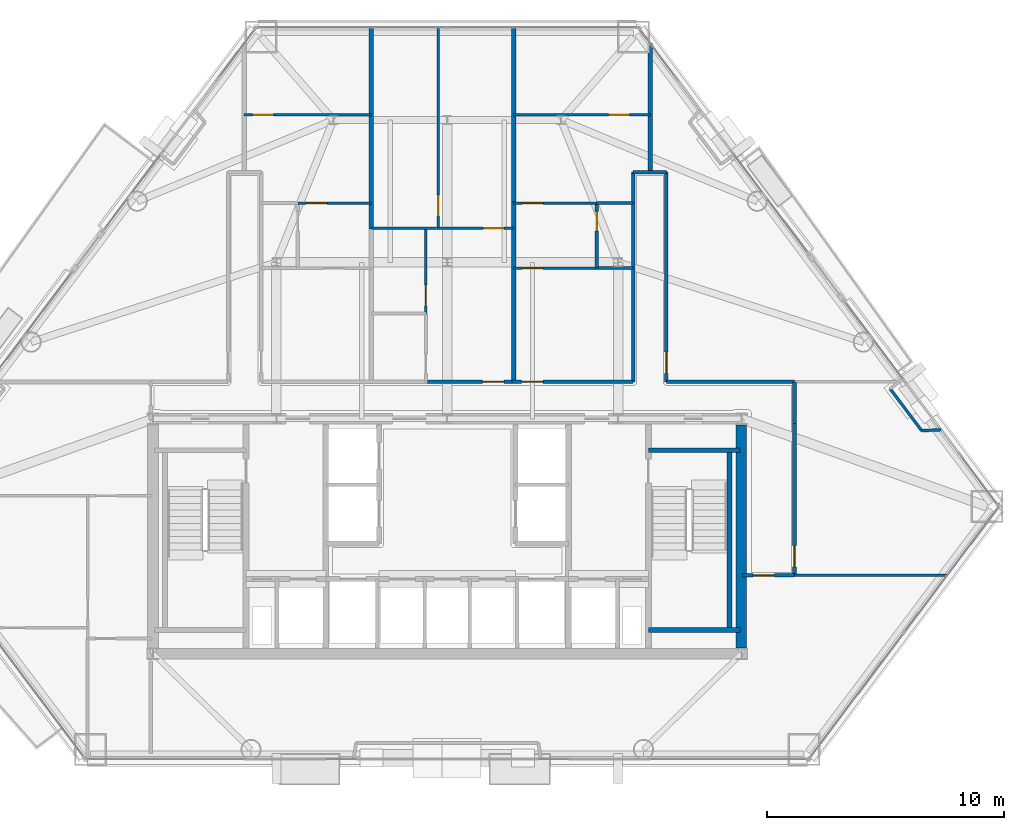
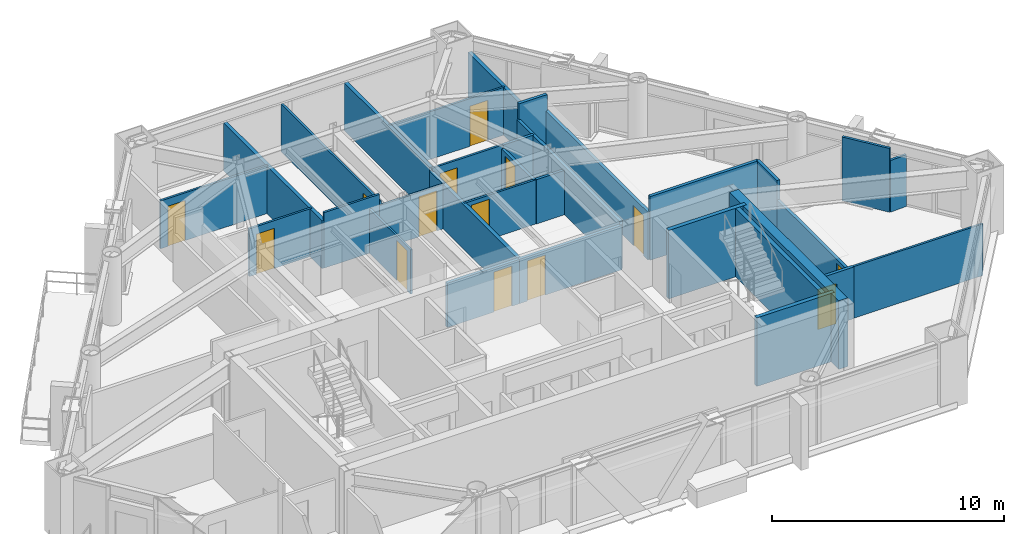
# One storey, part 8 of 11: 32 walls, 14 doors, 14 openings.
"""IFC4 building model written with IfcOpenShell, lengths in metres."""

from ifc_helpers import new_model, si_unit, direction, frame, frame_2d, origin, place, context, subcontext, project, spatial, rectangle, extrude, material, layer, layer_set, type_object, element, fill, save


model = new_model("IFC4")

# Units and contexts
model_context = context("Model", 3, precision=1e-05, world=origin(), true_north=direction((0.0, 1.0)))
body_context = subcontext(model_context, "Body", "Model", "MODEL_VIEW")
ifc_project = project(units=[si_unit("LENGTHUNIT", "METRE"), si_unit("AREAUNIT", "SQUARE_METRE"), si_unit("VOLUMEUNIT", "CUBIC_METRE"), si_unit("PLANEANGLEUNIT", "RADIAN"), si_unit("MASSUNIT", "GRAM", prefix="KILO")], contexts=[model_context])

# Site, building, storey
site_placement = place(None, origin())
site = spatial("IfcSite", under=ifc_project, at=site_placement, CompositionType="ELEMENT")
building_placement = place(site_placement, origin())
building = spatial("IfcBuilding", under=site, at=building_placement, Name="Talgorran Terracotta Tower", CompositionType="ELEMENT")
storey_placement = place(building_placement, frame((0.0, 0.0, 38.699951171875)))
storey = spatial("IfcBuildingStorey", under=building, at=storey_placement, Name="L09", CompositionType="ELEMENT", Elevation=38.699951171875)

# Walls
ifc_material_1 = material(Name="Concrete C50/60", Category="concrete")
ifc_layer_1 = layer(ifc_material_1, 0.199951171875, Name="WT_CORE_200")
ifc_layer_set_1 = layer_set([ifc_layer_1], Name="Concrete C50/60")
wall_type_1 = type_object("IfcWallType", Name="WT_CORE_200", PredefinedType="SOLIDWALL", material=ifc_layer_set_1)
for number, where, z_axis, x_axis, name in (
    (1, (8.47998046875, -5.52001953125, 0.0), (0.0, 0.0, 1.0), (1.0, 0.0, 0.0), "WL-L09-CW-ST2-N"),
    (2, (8.47998046875, -13.10009765625, 0.0), (0.0, 0.0, 1.0), (1.0, 0.0, 0.0), "WL-L09-CW-ST2-S"),
):
    element("IfcWall", number, at=place(storey_placement, frame(where, z_axis=z_axis, x_axis=x_axis)), inside=storey, type_object=wall_type_1, Name=name, PredefinedType="SOLIDWALL", context=body_context, shape_type="SweptSolid", body=[
        extrude(rectangle(XDim=3.8701171875, YDim=0.199951171875, at=frame_2d((1.93505859375, 0.0))), origin(), (0.0, 0.0, 1.0), 3.60009765625),
    ])
wall_1_placement = place(storey_placement, frame((11.89990234375, -13.10009765625, 0.0), z_axis=(0.0, 0.0, 1.0), x_axis=(0.0, 1.0, 0.0)))
element("IfcWall", 3, at=wall_1_placement, inside=storey, type_object=wall_type_1, Name="WL-L09-CW-ST2-E", PredefinedType="SOLIDWALL", context=body_context, shape_type="SweptSolid", body=[
    extrude(rectangle(XDim=7.580078125, YDim=0.199951171875, at=frame_2d((3.7900390625, 0.0))), origin(), (0.0, 0.0, 1.0), 3.60009765625),
])
ifc_material_2 = material(Name="Concrete C65/80", Category="concrete")
ifc_layer_2 = layer(ifc_material_2, 0.449951171875, Name="WT_CORE_EXT")
ifc_layer_set_2 = layer_set([ifc_layer_2], Name="Concrete C65/80")
wall_type_2 = type_object("IfcWallType", Name="WT_CORE_EXT", PredefinedType="SHEAR", material=ifc_layer_set_2)
wall_2_placement = place(storey_placement, frame((12.39990234375, -13.85009765625, 0.0), z_axis=(0.0, 0.0, 1.0), x_axis=(0.0, 1.0, 0.0)))
element("IfcWall", 4, at=wall_2_placement, inside=storey, type_object=wall_type_2, Name="WL-L09-CW-OUT-E", PredefinedType="SHEAR", context=body_context, shape_type="SweptSolid", body=[
    extrude(rectangle(XDim=9.400146484375, YDim=0.449951171875, at=frame_2d((4.7001953125, 0.0))), origin(), (0.0, 0.0, 1.0), 3.60009765625),
])

# Wall, opening, door
ifc_material_3 = material(Name="Fire-Rated Steel Stud Plasterboard", Category="steel")
ifc_layer_3 = layer(ifc_material_3, 0.14990234375, Name="WT_FIRE_150")
ifc_layer_set_3 = layer_set([ifc_layer_3], Name="Fire-Rated Steel Stud Plasterboard")
wall_type_3 = type_object("IfcWallType", Name="WT_FIRE_150", PredefinedType="PARTITIONING", material=ifc_layer_set_3)
wall_3_placement = place(storey_placement, frame((9.239990234375, -2.639892578125, 0.0), z_axis=(0.0, 0.0, 1.0), x_axis=(0.0, 1.0, 0.0)))
wall_3 = element("IfcWall", 5, at=wall_3_placement, inside=storey, type_object=wall_type_3, Name="WL-L09-W-L09-R21", PredefinedType="PARTITIONING", context=body_context, shape_type="SweptSolid", body=[
    extrude(rectangle(XDim=8.83984375, YDim=0.14990234375, at=frame_2d((4.419921875, 0.0))), origin(), (0.0, 0.0, 1.0), 2.509033203125),
])
opening_1_placement = place(wall_3_placement, frame((0.359375, 0.0, 0.0)))
opening_1 = element("IfcOpeningElement", 6, at=opening_1_placement, cuts=wall_3, Name="Opening DR-L09-R22", PredefinedType="OPENING", context=body_context, shape_type="SweptSolid", body=[
    extrude(rectangle(XDim=0.90590234375, YDim=2.10409765625, at=frame_2d((0.449951171875, 1.052001953125))), frame((0.0, 0.0849609375, 0.0), z_axis=(0.0, -1.0, 0.0), x_axis=(1.0, 0.0, 0.0)), (0.0, 0.0, 1.0), 0.169921875),
])
ifc_material_4 = material(Name="Fire-Rated Timber Core", Category="wood")
door_type_1 = type_object("IfcDoorType", Name="DT_FIRE_900", OperationType="NOTDEFINED", PredefinedType="DOOR", material=ifc_material_4)
door_1_placement = place(opening_1_placement, origin())
door_1 = element("IfcDoor", 7, at=door_1_placement, inside=storey, type_object=door_type_1, Name="DR-L09-R22", OperationType="SINGLE_SWING_RIGHT", OverallHeight=2.10009765625, OverallWidth=0.89990234375, PredefinedType="DOOR", context=body_context, shape_type="SweptSolid", body=[
    extrude(rectangle(XDim=0.89990234375, YDim=2.10009765625, at=frame_2d((0.449951171875, 1.050048828125))), frame((0.0, 0.02490234375, 0.0), z_axis=(0.0, -1.0, 0.0), x_axis=(1.0, 0.0, 0.0)), (0.0, 0.0, 1.0), 0.050048828125),
])
fill(opening_1, door_1)

wall_4_placement = place(storey_placement, frame((14.639892578125, -10.800048828125, 0.0), z_axis=(0.0, 0.0, 1.0), x_axis=(0.0, 1.0, 0.0)))
wall_4 = element("IfcWall", 8, at=wall_4_placement, inside=storey, type_object=wall_type_3, Name="WL-L09-W-L09-R02", PredefinedType="PARTITIONING", context=body_context, shape_type="SweptSolid", body=[
    extrude(rectangle(XDim=6.400146484375, YDim=0.14990234375, at=frame_2d((3.2001953125, 0.0))), origin(), (0.0, 0.0, 1.0), 2.324951171875),
])
opening_2_placement = place(wall_4_placement, frame((0.359130859375, 0.0, 0.0)))
opening_2 = element("IfcOpeningElement", 9, at=opening_2_placement, cuts=wall_4, Name="Opening DR-L09-R04", PredefinedType="OPENING", context=body_context, shape_type="SweptSolid", body=[
    extrude(rectangle(XDim=0.90590234375, YDim=2.10409765625, at=frame_2d((0.449951171875, 1.052001953125))), frame((0.0, 0.0849609375, 0.0), z_axis=(0.0, -1.0, 0.0), x_axis=(1.0, 0.0, 0.0)), (0.0, 0.0, 1.0), 0.169921875),
])
door_2_placement = place(opening_2_placement, origin())
door_2 = element("IfcDoor", 10, at=door_2_placement, inside=storey, type_object=door_type_1, Name="DR-L09-R04", OperationType="SINGLE_SWING_RIGHT", OverallHeight=2.10009765625, OverallWidth=0.89990234375, PredefinedType="DOOR", context=body_context, shape_type="SweptSolid", body=[
    extrude(rectangle(XDim=0.89990234375, YDim=2.10009765625, at=frame_2d((0.449951171875, 1.050048828125))), frame((0.0, 0.02490234375, 0.0), z_axis=(0.0, -1.0, 0.0), x_axis=(1.0, 0.0, 0.0)), (0.0, 0.0, 1.0), 0.050048828125),
])
fill(opening_2, door_2)

# Wall
wall_5_placement = place(storey_placement, frame((9.239990234375, -2.639892578125, 0.0), z_axis=(0.0, 0.0, 1.0), x_axis=(1.0, 0.0, 0.0)))
element("IfcWall", 11, at=wall_5_placement, inside=storey, type_object=wall_type_3, Name="WL-L09-W-L09-R22", PredefinedType="PARTITIONING", context=body_context, shape_type="SweptSolid", body=[
    extrude(rectangle(XDim=5.39990234375, YDim=0.14990234375, at=frame_2d((2.699951171875, 0.0))), origin(), (0.0, 0.0, 1.0), 3.35009765625),
])

# Wall, opening, door
wall_6_placement = place(storey_placement, frame((2.739990234375, -2.639892578125, 0.0), z_axis=(0.0, 0.0, 1.0), x_axis=(1.0, 0.0, 0.0)))
wall_6 = element("IfcWall", 12, at=wall_6_placement, inside=storey, type_object=wall_type_3, Name="WL-L09-W-L09-R15", PredefinedType="PARTITIONING", context=body_context, shape_type="SweptSolid", body=[
    extrude(rectangle(XDim=5.10009765625, YDim=0.14990234375, at=frame_2d((2.550048828125, 0.0))), origin(), (0.0, 0.0, 1.0), 2.324951171875),
])
opening_3_placement = place(wall_6_placement, frame((0.39990234375, 0.0, 0.0)))
opening_3 = element("IfcOpeningElement", 13, at=opening_3_placement, cuts=wall_6, Name="Opening DR-L09-R17", PredefinedType="OPENING", context=body_context, shape_type="SweptSolid", body=[
    extrude(rectangle(XDim=0.90590234375, YDim=2.10409765625, at=frame_2d((0.449951171875, 1.052001953125))), frame((0.0, 0.0849609375, 0.0), z_axis=(0.0, -1.0, 0.0), x_axis=(1.0, 0.0, 0.0)), (0.0, 0.0, 1.0), 0.169921875),
])
door_3_placement = place(opening_3_placement, origin())
door_3 = element("IfcDoor", 14, at=door_3_placement, inside=storey, type_object=door_type_1, Name="DR-L09-R17", OperationType="SINGLE_SWING_LEFT", OverallHeight=2.10009765625, OverallWidth=0.89990234375, PredefinedType="DOOR", context=body_context, shape_type="SweptSolid", body=[
    extrude(rectangle(XDim=0.89990234375, YDim=2.10009765625, at=frame_2d((0.449951171875, 1.050048828125))), frame((0.0, 0.02490234375, 0.0), z_axis=(0.0, -1.0, 0.0), x_axis=(1.0, 0.0, 0.0)), (0.0, 0.0, 1.0), 0.050048828125),
])
fill(opening_3, door_3)

# Wall
wall_7_placement = place(storey_placement, frame((7.840087890625, -2.639892578125, 0.0), z_axis=(0.0, 0.0, 1.0), x_axis=(0.0, 1.0, 0.0)))
element("IfcWall", 15, at=wall_7_placement, inside=storey, type_object=wall_type_3, Name="WL-L09-W-L09-R16", PredefinedType="PARTITIONING", context=body_context, shape_type="SweptSolid", body=[
    extrude(rectangle(XDim=8.83984375, YDim=0.14990234375, at=frame_2d((4.419921875, 0.0))), origin(), (0.0, 0.0, 1.0), 2.509033203125),
])

# Wall, opening, door
wall_8_placement = place(storey_placement, frame((-0.837890625, -2.639892578125, 0.0), z_axis=(0.0, 0.0, 1.0), x_axis=(1.0, 0.0, 0.0)))
wall_8 = element("IfcWall", 16, at=wall_8_placement, inside=storey, type_object=wall_type_3, Name="WL-L09-W-L09-R14", PredefinedType="PARTITIONING", context=body_context, shape_type="SweptSolid", body=[
    extrude(rectangle(XDim=3.575927734375, YDim=0.14990234375, at=frame_2d((1.7880859375, 0.0))), origin(), (0.0, 0.0, 1.0), 2.324951171875),
])
opening_4_placement = place(wall_8_placement, frame((2.318115234375, 0.0, 0.0)))
opening_4 = element("IfcOpeningElement", 17, at=opening_4_placement, cuts=wall_8, Name="Opening DR-L09-R14", PredefinedType="OPENING", context=body_context, shape_type="SweptSolid", body=[
    extrude(rectangle(XDim=0.90590234375, YDim=2.10409765625, at=frame_2d((0.449951171875, 1.052001953125))), frame((0.0, 0.0849609375, 0.0), z_axis=(0.0, -1.0, 0.0), x_axis=(1.0, 0.0, 0.0)), (0.0, 0.0, 1.0), 0.169921875),
])
door_4_placement = place(opening_4_placement, origin())
door_4 = element("IfcDoor", 18, at=door_4_placement, inside=storey, type_object=door_type_1, Name="DR-L09-R14", OperationType="SINGLE_SWING_RIGHT", OverallHeight=2.10009765625, OverallWidth=0.89990234375, PredefinedType="DOOR", context=body_context, shape_type="SweptSolid", body=[
    extrude(rectangle(XDim=0.89990234375, YDim=2.10009765625, at=frame_2d((0.449951171875, 1.050048828125))), frame((0.0, 0.02490234375, 0.0), z_axis=(0.0, -1.0, 0.0), x_axis=(1.0, 0.0, 0.0)), (0.0, 0.0, 1.0), 0.050048828125),
])
fill(opening_4, door_4)

wall_9_placement = place(storey_placement, frame((12.43994140625, -10.800048828125, 0.0), z_axis=(0.0, 0.0, 1.0), x_axis=(1.0, 0.0, 0.0)))
wall_9 = element("IfcWall", 19, at=wall_9_placement, inside=storey, type_object=wall_type_3, Name="WL-L09-W-L09-R04", PredefinedType="PARTITIONING", context=body_context, shape_type="SweptSolid", body=[
    extrude(rectangle(XDim=2.199951171875, YDim=0.14990234375, at=frame_2d((1.10009765625, 0.0))), origin(), (0.0, 0.0, 1.0), 2.71337890625),
])
opening_5_placement = place(wall_9_placement, frame((0.456298828125, 0.0, 0.0)))
opening_5 = element("IfcOpeningElement", 20, at=opening_5_placement, cuts=wall_9, Name="Opening DR-L09-R05", PredefinedType="OPENING", context=body_context, shape_type="SweptSolid", body=[
    extrude(rectangle(XDim=0.90590234375, YDim=2.10409765625, at=frame_2d((0.449951171875, 1.052001953125))), frame((0.0, 0.0849609375, 0.0), z_axis=(0.0, -1.0, 0.0), x_axis=(1.0, 0.0, 0.0)), (0.0, 0.0, 1.0), 0.169921875),
])
door_5_placement = place(opening_5_placement, origin())
door_5 = element("IfcDoor", 21, at=door_5_placement, inside=storey, type_object=door_type_1, Name="DR-L09-R05", OperationType="SINGLE_SWING_LEFT", OverallHeight=2.10009765625, OverallWidth=0.89990234375, PredefinedType="DOOR", context=body_context, shape_type="SweptSolid", body=[
    extrude(rectangle(XDim=0.89990234375, YDim=2.10009765625, at=frame_2d((0.449951171875, 1.050048828125))), frame((0.0, 0.02490234375, 0.0), z_axis=(0.0, -1.0, 0.0), x_axis=(1.0, 0.0, 0.0)), (0.0, 0.0, 1.0), 0.050048828125),
])
fill(opening_5, door_5)

# Walls
wall_10_placement = place(storey_placement, frame((14.639892578125, -4.39990234375, 0.0), z_axis=(0.0, 0.0, 1.0), x_axis=(0.0, 1.0, 0.0)))
element("IfcWall", 22, at=wall_10_placement, inside=storey, type_object=wall_type_3, Name="WL-L09-W-L09-R03", PredefinedType="PARTITIONING", context=body_context, shape_type="SweptSolid", body=[
    extrude(rectangle(XDim=1.760009765625, YDim=0.14990234375, at=frame_2d((0.8798828125, 0.0))), origin(), (0.0, 0.0, 1.0), 3.35009765625),
])
wall_11_placement = place(storey_placement, frame((7.840087890625, 6.199951171875, 0.0), z_axis=(0.0, 0.0, 1.0), x_axis=(1.0, 0.0, 0.0)))
element("IfcWall", 23, at=wall_11_placement, inside=storey, type_object=wall_type_3, Name="WL-L09-W-L09-R19", PredefinedType="PARTITIONING", context=body_context, shape_type="SweptSolid", body=[
    extrude(rectangle(XDim=1.39990234375, YDim=0.14990234375, at=frame_2d((0.699951171875, 0.0))), origin(), (0.0, 0.0, 1.0), 3.35009765625),
])
ifc_material_5 = material(Name="Acoustic Stud and Plasterboard")
ifc_layer_4 = layer(ifc_material_5, 0.179931640625, Name="WT_PARTY_200")
ifc_layer_set_4 = layer_set([ifc_layer_4], Name="Acoustic Stud and Plasterboard")
wall_type_4 = type_object("IfcWallType", Name="WT_PARTY_200", PredefinedType="PARTITIONING", material=ifc_layer_set_4)
wall_12_placement = place(storey_placement, frame((2.800048828125, -2.639892578125, 0.0), z_axis=(0.0, 0.0, 1.0), x_axis=(0.0, 1.0, 0.0)))
element("IfcWall", 24, at=wall_12_placement, inside=storey, type_object=wall_type_4, Name="WL-L09-W-L09-R53", PredefinedType="PARTITIONING", context=body_context, shape_type="SweptSolid", body=[
    extrude(rectangle(XDim=7.599853515625, YDim=0.179931640625, at=frame_2d((3.7998046875, 0.0))), origin(), (0.0, 0.0, 1.0), 2.324951171875),
])
wall_13_placement = place(storey_placement, frame((2.800048828125, 4.9619140625, 0.0), z_axis=(0.0, 0.0, 1.0), x_axis=(0.0, 1.0, 0.0)))
element("IfcWall", 25, at=wall_13_placement, inside=storey, type_object=wall_type_4, Name="WL-L09-W-L09-R57", PredefinedType="PARTITIONING", context=body_context, shape_type="SweptSolid", body=[
    extrude(rectangle(XDim=7.34375, YDim=0.179931640625, at=frame_2d((3.671875, 0.0))), origin(), (0.0, 0.0, 1.0), 2.509033203125),
])
wall_14_placement = place(storey_placement, frame((-3.199951171875, 3.800048828125, 0.0), z_axis=(0.0, 0.0, 1.0), x_axis=(0.0, 1.0, 0.0)))
element("IfcWall", 26, at=wall_14_placement, inside=storey, type_object=wall_type_4, Name="WL-L09-W-L09-R45", PredefinedType="PARTITIONING", context=body_context, shape_type="SweptSolid", body=[
    extrude(rectangle(XDim=8.505615234375, YDim=0.179931640625, at=frame_2d((4.2529296875, 0.0))), origin(), (0.0, 0.0, 1.0), 2.509033203125),
])
wall_15_placement = place(storey_placement, frame((8.56005859375, 6.199951171875, 0.0), z_axis=(0.0, 0.0, 1.0), x_axis=(0.0, 1.0, 0.0)))
element("IfcWall", 27, at=wall_15_placement, inside=storey, type_object=wall_type_4, Name="WL-L09-W-L09-R66", PredefinedType="PARTITIONING", context=body_context, shape_type="SweptSolid", body=[
    extrude(rectangle(XDim=5.424560546875, YDim=0.179931640625, at=frame_2d((2.71240234375, 0.0))), origin(), (0.0, 0.0, 1.0), 2.509033203125),
])

# Wall, opening, door
ifc_material_6 = material(Name="Lightweight Steel Stud Partition", Category="steel")
ifc_layer_5 = layer(ifc_material_6, 0.10498046875, Name="WT_PART_110")
ifc_layer_set_5 = layer_set([ifc_layer_5], Name="Lightweight Steel Stud Partition")
wall_type_5 = type_object("IfcWallType", Name="WT_PART_110", PredefinedType="PARTITIONING", material=ifc_layer_set_5)
wall_16_placement = place(storey_placement, frame((-0.3798828125, 3.840087890625, 0.0), z_axis=(0.0, 0.0, 1.0), x_axis=(0.0, 1.0, 0.0)))
wall_16 = element("IfcWall", 28, at=wall_16_placement, inside=storey, type_object=wall_type_5, Name="WL-L09-W-L09-R55", PredefinedType="PARTITIONING", context=body_context, shape_type="SweptSolid", body=[
    extrude(rectangle(XDim=8.465576171875, YDim=0.10498046875, at=frame_2d((4.23291015625, 0.0))), origin(), (0.0, 0.0, 1.0), 2.509033203125),
])
opening_6_placement = place(wall_16_placement, frame((0.51806640625, 0.0, 0.0)))
opening_6 = element("IfcOpeningElement", 29, at=opening_6_placement, cuts=wall_16, Name="Opening DR-L09-R15", PredefinedType="OPENING", context=body_context, shape_type="SweptSolid", body=[
    extrude(rectangle(XDim=0.8858828125, YDim=2.10409765625, at=frame_2d((0.43994140625, 1.052001953125))), frame((0.0, 0.0625, 0.0), z_axis=(0.0, -1.0, 0.0), x_axis=(1.0, 0.0, 0.0)), (0.0, 0.0, 1.0), 0.125),
])
ifc_material_7 = material(Name="Solid-Core Painted Timber", Category="wood")
door_type_2 = type_object("IfcDoorType", Name="DT_INT_880", OperationType="NOTDEFINED", PredefinedType="DOOR", material=ifc_material_7)
door_6_placement = place(opening_6_placement, origin())
door_6 = element("IfcDoor", 30, at=door_6_placement, inside=storey, type_object=door_type_2, Name="DR-L09-R15", OperationType="SINGLE_SWING_LEFT", OverallHeight=2.10009765625, OverallWidth=0.8798828125, PredefinedType="DOOR", context=body_context, shape_type="SweptSolid", body=[
    extrude(rectangle(XDim=0.8798828125, YDim=2.10009765625, at=frame_2d((0.43994140625, 1.050048828125))), frame((0.0, 0.02490234375, 0.0), z_axis=(0.0, -1.0, 0.0), x_axis=(1.0, 0.0, 0.0)), (0.0, 0.0, 1.0), 0.050048828125),
])
fill(opening_6, door_6)

# Wall
wall_17_placement = place(storey_placement, frame((14.639892578125, -10.800048828125, 0.0), z_axis=(0.0, 0.0, 1.0), x_axis=(1.0, 0.0, 0.0)))
element("IfcWall", 31, at=wall_17_placement, inside=storey, type_object=wall_type_5, Name="WL-L09-W-L09-R31", PredefinedType="PARTITIONING", context=body_context, shape_type="SweptSolid", body=[
    extrude(rectangle(XDim=6.429931640625, YDim=0.10498046875, at=frame_2d((3.21484375, 0.0))), origin(), (0.0, 0.0, 1.0), 2.71337890625),
])

# Wall, opening, door
wall_18_placement = place(storey_placement, frame((2.800048828125, 8.6201171875, 0.0), z_axis=(0.0, 0.0, 1.0), x_axis=(1.0, 0.0, 0.0)))
wall_18 = element("IfcWall", 32, at=wall_18_placement, inside=storey, type_object=wall_type_5, Name="WL-L09-W-L09-R64", PredefinedType="PARTITIONING", context=body_context, shape_type="SweptSolid", body=[
    extrude(rectangle(XDim=5.760009765625, YDim=0.10498046875, at=frame_2d((2.8798828125, 0.0))), origin(), (0.0, 0.0, 1.0), 2.509033203125),
])
opening_7_placement = place(wall_18_placement, frame((4.006591796875, 0.0, 0.0)))
opening_7 = element("IfcOpeningElement", 33, at=opening_7_placement, cuts=wall_18, Name="Opening DR-L09-R21", PredefinedType="OPENING", context=body_context, shape_type="SweptSolid", body=[
    extrude(rectangle(XDim=0.8858828125, YDim=2.10409765625, at=frame_2d((0.43994140625, 1.052001953125))), frame((0.0, 0.0625, 0.0), z_axis=(0.0, -1.0, 0.0), x_axis=(1.0, 0.0, 0.0)), (0.0, 0.0, 1.0), 0.125),
])
door_7_placement = place(opening_7_placement, origin())
door_7 = element("IfcDoor", 34, at=door_7_placement, inside=storey, type_object=door_type_2, Name="DR-L09-R21", OperationType="SINGLE_SWING_LEFT", OverallHeight=2.10009765625, OverallWidth=0.8798828125, PredefinedType="DOOR", context=body_context, shape_type="SweptSolid", body=[
    extrude(rectangle(XDim=0.8798828125, YDim=2.10009765625, at=frame_2d((0.43994140625, 1.050048828125))), frame((0.0, 0.02490234375, 0.0), z_axis=(0.0, -1.0, 0.0), x_axis=(1.0, 0.0, 0.0)), (0.0, 0.0, 1.0), 0.050048828125),
])
fill(opening_7, door_7)

wall_19_placement = place(storey_placement, frame((-8.56005859375, 8.6201171875, 0.0), z_axis=(0.0, 0.0, 1.0), x_axis=(1.0, 0.0, 0.0)))
wall_19 = element("IfcWall", 35, at=wall_19_placement, inside=storey, type_object=wall_type_5, Name="WL-L09-W-L09-R44", PredefinedType="PARTITIONING", context=body_context, shape_type="SweptSolid", body=[
    extrude(rectangle(XDim=5.360107421875, YDim=0.10498046875, at=frame_2d((2.68017578125, 0.0))), origin(), (0.0, 0.0, 1.0), 2.509033203125),
])
opening_8_placement = place(wall_19_placement, frame((0.35791015625, 0.0, 0.0)))
opening_8 = element("IfcOpeningElement", 36, at=opening_8_placement, cuts=wall_19, Name="Opening DR-L09-R11", PredefinedType="OPENING", context=body_context, shape_type="SweptSolid", body=[
    extrude(rectangle(XDim=0.8858828125, YDim=2.10409765625, at=frame_2d((0.43994140625, 1.052001953125))), frame((0.0, 0.0625, 0.0), z_axis=(0.0, -1.0, 0.0), x_axis=(1.0, 0.0, 0.0)), (0.0, 0.0, 1.0), 0.125),
])
door_8_placement = place(opening_8_placement, origin())
door_8 = element("IfcDoor", 37, at=door_8_placement, inside=storey, type_object=door_type_2, Name="DR-L09-R11", OperationType="SINGLE_SWING_LEFT", OverallHeight=2.10009765625, OverallWidth=0.8798828125, PredefinedType="DOOR", context=body_context, shape_type="SweptSolid", body=[
    extrude(rectangle(XDim=0.8798828125, YDim=2.10009765625, at=frame_2d((0.43994140625, 1.050048828125))), frame((0.0, 0.02490234375, 0.0), z_axis=(0.0, -1.0, 0.0), x_axis=(1.0, 0.0, 0.0)), (0.0, 0.0, 1.0), 0.050048828125),
])
fill(opening_8, door_8)

wall_20_placement = place(storey_placement, frame((-0.89990234375, 0.239990234375, 0.0), z_axis=(0.0, 0.0, 1.0), x_axis=(0.0, 1.0, 0.0)))
wall_20 = element("IfcWall", 38, at=wall_20_placement, inside=storey, type_object=wall_type_5, Name="WL-L09-W-L09-R49", PredefinedType="PARTITIONING", context=body_context, shape_type="SweptSolid", body=[
    extrude(rectangle(XDim=3.60009765625, YDim=0.10498046875, at=frame_2d((1.800048828125, 0.0))), origin(), (0.0, 0.0, 1.0), 2.324951171875),
])
opening_9_placement = place(wall_20_placement, frame((0.320068359375, 0.0, 0.0)))
opening_9 = element("IfcOpeningElement", 39, at=opening_9_placement, cuts=wall_20, Name="Opening DR-L09-R13", PredefinedType="OPENING", context=body_context, shape_type="SweptSolid", body=[
    extrude(rectangle(XDim=0.8858828125, YDim=2.10409765625, at=frame_2d((0.43994140625, 1.052001953125))), frame((0.0, 0.0625, 0.0), z_axis=(0.0, -1.0, 0.0), x_axis=(1.0, 0.0, 0.0)), (0.0, 0.0, 1.0), 0.125),
])
door_9_placement = place(opening_9_placement, origin())
door_9 = element("IfcDoor", 40, at=door_9_placement, inside=storey, type_object=door_type_2, Name="DR-L09-R13", OperationType="SINGLE_SWING_LEFT", OverallHeight=2.10009765625, OverallWidth=0.8798828125, PredefinedType="DOOR", context=body_context, shape_type="SweptSolid", body=[
    extrude(rectangle(XDim=0.8798828125, YDim=2.10009765625, at=frame_2d((0.43994140625, 1.050048828125))), frame((0.0, 0.02490234375, 0.0), z_axis=(0.0, -1.0, 0.0), x_axis=(1.0, 0.0, 0.0)), (0.0, 0.0, 1.0), 0.050048828125),
])
fill(opening_9, door_9)

wall_21_placement = place(storey_placement, frame((2.800048828125, 2.159912109375, 0.0), z_axis=(0.0, 0.0, 1.0), x_axis=(1.0, 0.0, 0.0)))
wall_21 = element("IfcWall", 41, at=wall_21_placement, inside=storey, type_object=wall_type_5, Name="WL-L09-W-L09-R60", PredefinedType="PARTITIONING", context=body_context, shape_type="SweptSolid", body=[
    extrude(rectangle(XDim=3.56005859375, YDim=0.10498046875, at=frame_2d((1.780029296875, 0.0))), origin(), (0.0, 0.0, 1.0), 2.324951171875),
])
opening_10_placement = place(wall_21_placement, frame((0.356201171875, 0.0, 0.0)))
opening_10 = element("IfcOpeningElement", 42, at=opening_10_placement, cuts=wall_21, Name="Opening DR-L09-R19", PredefinedType="OPENING", context=body_context, shape_type="SweptSolid", body=[
    extrude(rectangle(XDim=0.8858828125, YDim=2.10409765625, at=frame_2d((0.43994140625, 1.052001953125))), frame((0.0, 0.0625, 0.0), z_axis=(0.0, -1.0, 0.0), x_axis=(1.0, 0.0, 0.0)), (0.0, 0.0, 1.0), 0.125),
])
door_10_placement = place(opening_10_placement, origin())
door_10 = element("IfcDoor", 43, at=door_10_placement, inside=storey, type_object=door_type_2, Name="DR-L09-R19", OperationType="SINGLE_SWING_LEFT", OverallHeight=2.10009765625, OverallWidth=0.8798828125, PredefinedType="DOOR", context=body_context, shape_type="SweptSolid", body=[
    extrude(rectangle(XDim=0.8798828125, YDim=2.10009765625, at=frame_2d((0.43994140625, 1.050048828125))), frame((0.0, 0.02490234375, 0.0), z_axis=(0.0, -1.0, 0.0), x_axis=(1.0, 0.0, 0.0)), (0.0, 0.0, 1.0), 0.050048828125),
])
fill(opening_10, door_10)

wall_22_placement = place(storey_placement, frame((2.800048828125, 4.89990234375, 0.0), z_axis=(0.0, 0.0, 1.0), x_axis=(1.0, 0.0, 0.0)))
wall_22 = element("IfcWall", 44, at=wall_22_placement, inside=storey, type_object=wall_type_5, Name="WL-L09-W-L09-R63", PredefinedType="PARTITIONING", context=body_context, shape_type="SweptSolid", body=[
    extrude(rectangle(XDim=3.5, YDim=0.10498046875, at=frame_2d((1.75, 0.0))), origin(), (0.0, 0.0, 1.0), 2.509033203125),
])
opening_11_placement = place(wall_22_placement, frame((0.35791015625, 0.0, 0.0)))
opening_11 = element("IfcOpeningElement", 45, at=opening_11_placement, cuts=wall_22, Name="Opening DR-L09-R20", PredefinedType="OPENING", context=body_context, shape_type="SweptSolid", body=[
    extrude(rectangle(XDim=0.8858828125, YDim=2.10409765625, at=frame_2d((0.43994140625, 1.052001953125))), frame((0.0, 0.0625, 0.0), z_axis=(0.0, -1.0, 0.0), x_axis=(1.0, 0.0, 0.0)), (0.0, 0.0, 1.0), 0.125),
])
door_11_placement = place(opening_11_placement, origin())
door_11 = element("IfcDoor", 46, at=door_11_placement, inside=storey, type_object=door_type_2, Name="DR-L09-R20", OperationType="SINGLE_SWING_RIGHT", OverallHeight=2.10009765625, OverallWidth=0.8798828125, PredefinedType="DOOR", context=body_context, shape_type="SweptSolid", body=[
    extrude(rectangle(XDim=0.8798828125, YDim=2.10009765625, at=frame_2d((0.43994140625, 1.050048828125))), frame((0.0, 0.02490234375, 0.0), z_axis=(0.0, -1.0, 0.0), x_axis=(1.0, 0.0, 0.0)), (0.0, 0.0, 1.0), 0.050048828125),
])
fill(opening_11, door_11)

wall_23_placement = place(storey_placement, frame((-0.43994140625, 3.840087890625, 0.0), z_axis=(0.0, 0.0, 1.0), x_axis=(1.0, 0.0, 0.0)))
wall_23 = element("IfcWall", 47, at=wall_23_placement, inside=storey, type_object=wall_type_5, Name="WL-L09-W-L09-R52", PredefinedType="PARTITIONING", context=body_context, shape_type="SweptSolid", body=[
    extrude(rectangle(XDim=3.239990234375, YDim=0.10498046875, at=frame_2d((1.6201171875, 0.0))), origin(), (0.0, 0.0, 1.0), 2.324951171875),
])
opening_12_placement = place(wall_23_placement, frame((1.9599609375, 0.0, 0.0)))
opening_12 = element("IfcOpeningElement", 48, at=opening_12_placement, cuts=wall_23, Name="Opening DR-L09-R16", PredefinedType="OPENING", context=body_context, shape_type="SweptSolid", body=[
    extrude(rectangle(XDim=0.8858828125, YDim=2.10409765625, at=frame_2d((0.43994140625, 1.052001953125))), frame((0.0, 0.0625, 0.0), z_axis=(0.0, -1.0, 0.0), x_axis=(1.0, 0.0, 0.0)), (0.0, 0.0, 1.0), 0.125),
])
door_12_placement = place(opening_12_placement, origin())
door_12 = element("IfcDoor", 49, at=door_12_placement, inside=storey, type_object=door_type_2, Name="DR-L09-R16", OperationType="SINGLE_SWING_RIGHT", OverallHeight=2.10009765625, OverallWidth=0.8798828125, PredefinedType="DOOR", context=body_context, shape_type="SweptSolid", body=[
    extrude(rectangle(XDim=0.8798828125, YDim=2.10009765625, at=frame_2d((0.43994140625, 1.050048828125))), frame((0.0, 0.02490234375, 0.0), z_axis=(0.0, -1.0, 0.0), x_axis=(1.0, 0.0, 0.0)), (0.0, 0.0, 1.0), 0.050048828125),
])
fill(opening_12, door_12)

wall_24_placement = place(storey_placement, frame((-6.300048828125, 4.89990234375, 0.0), z_axis=(0.0, 0.0, 1.0), x_axis=(1.0, 0.0, 0.0)))
wall_24 = element("IfcWall", 50, at=wall_24_placement, inside=storey, type_object=wall_type_5, Name="WL-L09-W-L09-R41", PredefinedType="PARTITIONING", context=body_context, shape_type="SweptSolid", body=[
    extrude(rectangle(XDim=3.10009765625, YDim=0.10498046875, at=frame_2d((1.550048828125, 0.0))), origin(), (0.0, 0.0, 1.0), 2.509033203125),
])
opening_13_placement = place(wall_24_placement, frame((0.357666015625, 0.0, 0.0)))
opening_13 = element("IfcOpeningElement", 51, at=opening_13_placement, cuts=wall_24, Name="Opening DR-L09-R10", PredefinedType="OPENING", context=body_context, shape_type="SweptSolid", body=[
    extrude(rectangle(XDim=0.8858828125, YDim=2.10409765625, at=frame_2d((0.43994140625, 1.052001953125))), frame((0.0, 0.0625, 0.0), z_axis=(0.0, -1.0, 0.0), x_axis=(1.0, 0.0, 0.0)), (0.0, 0.0, 1.0), 0.125),
])
door_13_placement = place(opening_13_placement, origin())
door_13 = element("IfcDoor", 52, at=door_13_placement, inside=storey, type_object=door_type_2, Name="DR-L09-R10", OperationType="SINGLE_SWING_RIGHT", OverallHeight=2.10009765625, OverallWidth=0.8798828125, PredefinedType="DOOR", context=body_context, shape_type="SweptSolid", body=[
    extrude(rectangle(XDim=0.8798828125, YDim=2.10009765625, at=frame_2d((0.43994140625, 1.050048828125))), frame((0.0, 0.02490234375, 0.0), z_axis=(0.0, -1.0, 0.0), x_axis=(1.0, 0.0, 0.0)), (0.0, 0.0, 1.0), 0.050048828125),
])
fill(opening_13, door_13)

# Walls
wall_25_placement = place(storey_placement, frame((-3.199951171875, 3.840087890625, 0.0), z_axis=(0.0, 0.0, 1.0), x_axis=(1.0, 0.0, 0.0)))
element("IfcWall", 53, at=wall_25_placement, inside=storey, type_object=wall_type_5, Name="WL-L09-W-L09-R50", PredefinedType="PARTITIONING", context=body_context, shape_type="SweptSolid", body=[
    extrude(rectangle(XDim=2.758056640625, YDim=0.10498046875, at=frame_2d((1.37890625, 0.0))), origin(), (0.0, 0.0, 1.0), 2.918701171875),
])
ifc_material_8 = material(Name="Insulated Steel Stud Plasterboard", Category="steel")
ifc_layer_6 = layer(ifc_material_8, 0.1201171875, Name="WT_PART_120")
ifc_layer_set_6 = layer_set([ifc_layer_6], Name="Insulated Steel Stud Plasterboard")
wall_type_6 = type_object("IfcWallType", Name="WT_PART_120", PredefinedType="PARTITIONING", material=ifc_layer_set_6)
wall_26_placement = place(storey_placement, frame((20.00146484375, -4.696533203125, 0.0), z_axis=(0.0, 0.0, 1.0), x_axis=(-0.601727904202, 0.798701151436, 0.0)))
element("IfcWall", 54, at=wall_26_placement, inside=storey, type_object=wall_type_6, Name="WL-L09-BW-L09-08", PredefinedType="PARTITIONING", context=body_context, shape_type="SweptSolid", body=[
    extrude(rectangle(XDim=2.213623046875, YDim=0.1201171875, at=frame_2d((1.10693359375, 0.0))), origin(), (0.0, 0.0, 1.0), 3.35009765625),
])
wall_27_placement = place(storey_placement, frame((20.81201171875, -4.658935546875, 0.0), z_axis=(0.0, 0.0, 1.0), x_axis=(-0.99892592368, -0.046335720556, 0.0)))
element("IfcWall", 55, at=wall_27_placement, inside=storey, type_object=wall_type_6, Name="WL-L09-BW-L09-07", PredefinedType="PARTITIONING", context=body_context, shape_type="SweptSolid", body=[
    extrude(rectangle(XDim=0.8115234375, YDim=0.1201171875, at=frame_2d((0.40576171875, 0.0))), origin(), (0.0, 0.0, 1.0), 2.71337890625),
])

# Wall, opening, door
ifc_material_9 = material(Name="Moisture-Resistant Stud Wall")
ifc_layer_7 = layer(ifc_material_9, 0.135009765625, Name="WT_PART_135")
ifc_layer_set_7 = layer_set([ifc_layer_7], Name="Moisture-Resistant Stud Wall")
wall_type_7 = type_object("IfcWallType", Name="WT_PART_135", PredefinedType="PARTITIONING", material=ifc_layer_set_7)
wall_28_placement = place(storey_placement, frame((6.300048828125, 2.159912109375, 0.0), z_axis=(0.0, 0.0, 1.0), x_axis=(0.0, 1.0, 0.0)))
wall_28 = element("IfcWall", 56, at=wall_28_placement, inside=storey, type_object=wall_type_7, Name="WL-L09-W-L09-R61", PredefinedType="PARTITIONING", context=body_context, shape_type="SweptSolid", body=[
    extrude(rectangle(XDim=2.739990234375, YDim=0.135009765625, at=frame_2d((1.3701171875, 0.0))), origin(), (0.0, 0.0, 1.0), 2.324951171875),
])
opening_14_placement = place(wall_28_placement, frame((1.565673828125, 0.0, 0.0)))
opening_14 = element("IfcOpeningElement", 57, at=opening_14_placement, cuts=wall_28, Name="Opening DR-L09-R18", PredefinedType="OPENING", context=body_context, shape_type="SweptSolid", body=[
    extrude(rectangle(XDim=0.826068359375, YDim=2.10409765625, at=frame_2d((0.41015625, 1.052001953125))), frame((0.0, 0.07763671875, 0.0), z_axis=(0.0, -1.0, 0.0), x_axis=(1.0, 0.0, 0.0)), (0.0, 0.0, 1.0), 0.155029296875),
])
ifc_material_10 = material(Name="Moisture-Resistant Solid Timber", Category="wood")
door_type_3 = type_object("IfcDoorType", Name="DT_INT_820", OperationType="NOTDEFINED", PredefinedType="DOOR", material=ifc_material_10)
door_14_placement = place(opening_14_placement, origin())
door_14 = element("IfcDoor", 58, at=door_14_placement, inside=storey, type_object=door_type_3, Name="DR-L09-R18", OperationType="SINGLE_SWING_RIGHT", OverallHeight=2.10009765625, OverallWidth=0.820068359375, PredefinedType="DOOR", context=body_context, shape_type="SweptSolid", body=[
    extrude(rectangle(XDim=0.820068359375, YDim=2.10009765625, at=frame_2d((0.41015625, 1.050048828125))), frame((0.0, 0.02490234375, 0.0), z_axis=(0.0, -1.0, 0.0), x_axis=(1.0, 0.0, 0.0)), (0.0, 0.0, 1.0), 0.050048828125),
])
fill(opening_14, door_14)

# Walls
wall_29_placement = place(storey_placement, frame((6.362060546875, 2.159912109375, 0.0), z_axis=(0.0, 0.0, 1.0), x_axis=(1.0, 0.0, 0.0)))
element("IfcWall", 59, at=wall_29_placement, inside=storey, type_object=wall_type_7, Name="WL-L09-W-L09-R59", PredefinedType="PARTITIONING", context=body_context, shape_type="SweptSolid", body=[
    extrude(rectangle(XDim=1.47802734375, YDim=0.135009765625, at=frame_2d((0.739013671875, 0.0))), origin(), (0.0, 0.0, 1.0), 2.324951171875),
])
wall_30_placement = place(storey_placement, frame((6.300048828125, 4.89990234375, 0.0), z_axis=(0.0, 0.0, 1.0), x_axis=(1.0, 0.0, 0.0)))
element("IfcWall", 60, at=wall_30_placement, inside=storey, type_object=wall_type_7, Name="WL-L09-W-L09-R62", PredefinedType="PARTITIONING", context=body_context, shape_type="SweptSolid", body=[
    extrude(rectangle(XDim=1.5400390625, YDim=0.135009765625, at=frame_2d((0.77001953125, 0.0))), origin(), (0.0, 0.0, 1.0), 2.509033203125),
])

save(model, "model.ifc")
